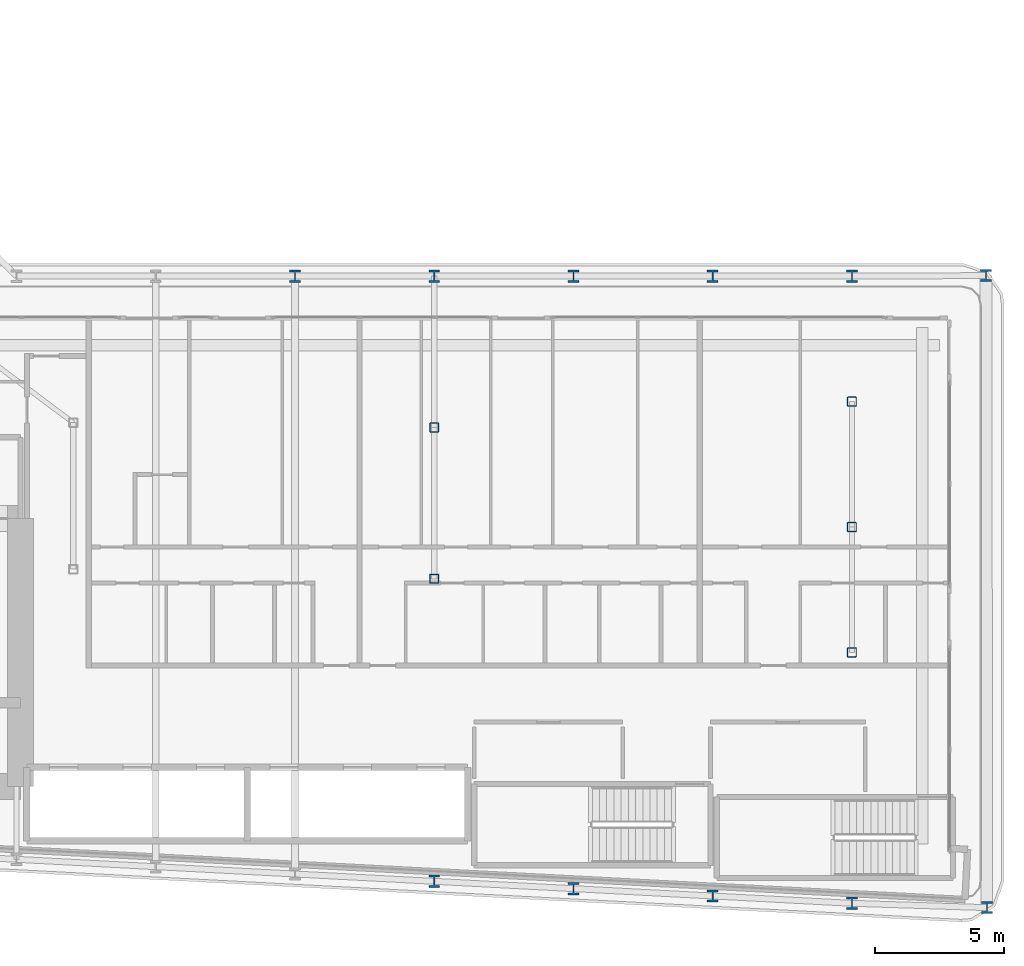
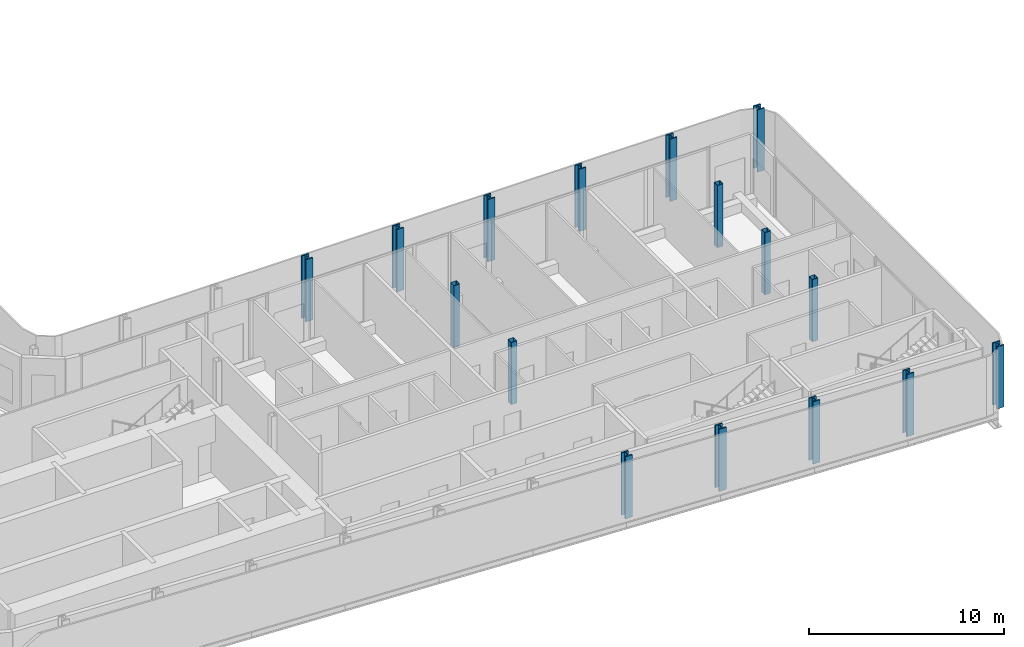
# One storey, part 2 of 24: 16 columns.
"""IFC4 building model written with IfcOpenShell, lengths in metres."""

from ifc_helpers import new_model, si_unit, direction, frame, origin, origin_2d, place, context, subcontext, project, spatial, hollow_rectangle, i_section, extrude, material, material_profile, profile_set, type_object, element, save


model = new_model("IFC4")

# Units and contexts
model_context = context("Model", 3, precision=1e-05, world=origin(), true_north=direction((0.0, 1.0)))
body_context = subcontext(model_context, "Body", "Model", "MODEL_VIEW")
ifc_project = project(units=[si_unit("LENGTHUNIT", "METRE"), si_unit("AREAUNIT", "SQUARE_METRE"), si_unit("VOLUMEUNIT", "CUBIC_METRE"), si_unit("PLANEANGLEUNIT", "RADIAN"), si_unit("MASSUNIT", "GRAM", prefix="KILO")], contexts=[model_context])

# Site, building, storey
site_placement = place(None, origin())
site = spatial("IfcSite", under=ifc_project, at=site_placement, CompositionType="ELEMENT")
building_placement = place(site_placement, origin())
building = spatial("IfcBuilding", under=site, at=building_placement, Name="Kheshtan School and Residences Tower", CompositionType="ELEMENT")
storey_placement = place(building_placement, frame((0.0, 0.0, 38.300048828125)))
storey = spatial("IfcBuildingStorey", under=building, at=storey_placement, Name="L08", CompositionType="ELEMENT", Elevation=38.300048828125)

# Columns
ifc_material_1 = material(Name="Steel ASTM A992 Grade 50", Category="steel")
ifc_material_profile_1 = material_profile(ifc_material_1, i_section(OverallWidth=0.424072265625, OverallDepth=0.47412109375, WebThickness=0.047607421875, FlangeThickness=0.0771484375, FilletRadius=0.01416015625, at=origin_2d()), Name="W360x634")
ifc_profile_set_1 = profile_set([ifc_material_profile_1], Name="Steel ASTM A992 Grade 50")
column_type_1 = type_object("IfcColumnType", Name="Column C1 W360x634 ASTM A992 Grade 50", PredefinedType="COLUMN", material=ifc_profile_set_1)
for number, where, z_axis, x_axis, name in (
    (1, (90.637939453125, 21.10693359375, 0.0), (0.0, 0.0, 1.0), (1.0, 0.0, 0.0), "Column C007"),
    (2, (85.39990234375, 21.27392578125, 0.0), (0.0, 0.0, 1.0), (1.0, 0.0, 0.0), "Column C008"),
    (3, (80.0, 21.55810546875, 0.0), (0.0, 0.0, 1.0), (1.0, 0.0, 0.0), "Column C012"),
    (4, (74.60009765625, 21.843017578125, 0.0), (0.0, 0.0, 1.0), (1.0, 0.0, 0.0), "Column C013"),
    (5, (69.199951171875, 22.126953125, 0.0), (0.0, 0.0, 1.0), (1.0, 0.0, 0.0), "Column C014"),
    (6, (63.800048828125, 45.60009765625, 0.0), (0.0, 0.0, 1.0), (1.0, 0.0, 0.0), "Column C063"),
    (7, (69.199951171875, 45.60009765625, 0.0), (0.0, 0.0, 1.0), (1.0, 0.0, 0.0), "Column C064"),
    (8, (74.60009765625, 45.60009765625, 0.0), (0.0, 0.0, 1.0), (1.0, 0.0, 0.0), "Column C065"),
    (9, (80.0, 45.60009765625, 0.0), (0.0, 0.0, 1.0), (1.0, 0.0, 0.0), "Column C066"),
    (10, (85.39990234375, 45.60009765625, 0.0), (0.0, 0.0, 1.0), (1.0, 0.0, 0.0), "Column C067"),
    (11, (90.60107421875, 45.62109375, 0.0), (0.0, 0.0, 1.0), (1.0, 0.0, 0.0), "Column C075"),
):
    element("IfcColumn", number, at=place(storey_placement, frame(where, z_axis=z_axis, x_axis=x_axis)), inside=storey, type_object=column_type_1, Name=name, PredefinedType="COLUMN", context=body_context, shape_type="SweptSolid", body=[
        extrude(i_section(OverallWidth=0.424072265625, OverallDepth=0.47412109375, WebThickness=0.047607421875, FlangeThickness=0.0771484375, FilletRadius=0.01416015625, at=origin_2d()), origin(), (0.0, 0.0, 1.0), 3.89990234375),
    ])
ifc_material_2 = material(Name="Steel ASTM A500 Grade C", Category="steel")
ifc_material_profile_2 = material_profile(ifc_material_2, hollow_rectangle(XDim=0.35595703125, YDim=0.35595703125, WallThickness=0.015869140625, InnerFilletRadius=0.015869140625, OuterFilletRadius=0.03173828125, at=origin_2d()), Name="HSS 356x356x15.9")
ifc_profile_set_2 = profile_set([ifc_material_profile_2], Name="Steel ASTM A500 Grade C")
column_type_2 = type_object("IfcColumnType", Name="Column IC1 HSS 356x356x15.9 ASTM A500 Grade C", PredefinedType="COLUMN", material=ifc_profile_set_2)
for number, where, z_axis, x_axis, name in (
    (12, (85.39990234375, 31.0048828125, 0.0), (0.0, 0.0, 1.0), (1.0, 0.0, 0.0), "Column C049"),
    (13, (69.199951171875, 33.863037109375, 0.0), (0.0, 0.0, 1.0), (1.0, 0.0, 0.0), "Column C050"),
    (14, (85.39990234375, 35.8701171875, 0.0), (0.0, 0.0, 1.0), (1.0, 0.0, 0.0), "Column C053"),
    (15, (69.199951171875, 39.73193359375, 0.0), (0.0, 0.0, 1.0), (1.0, 0.0, 0.0), "Column C054"),
    (16, (85.39990234375, 40.735107421875, 0.0), (0.0, 0.0, 1.0), (1.0, 0.0, 0.0), "Column C057"),
):
    element("IfcColumn", number, at=place(storey_placement, frame(where, z_axis=z_axis, x_axis=x_axis)), inside=storey, type_object=column_type_2, Name=name, PredefinedType="COLUMN", context=body_context, shape_type="SweptSolid", body=[
        extrude(hollow_rectangle(XDim=0.35595703125, YDim=0.35595703125, WallThickness=0.015869140625, InnerFilletRadius=0.015869140625, OuterFilletRadius=0.03173828125, at=origin_2d()), origin(), (0.0, 0.0, 1.0), 3.89990234375),
    ])

save(model, "model.ifc")
